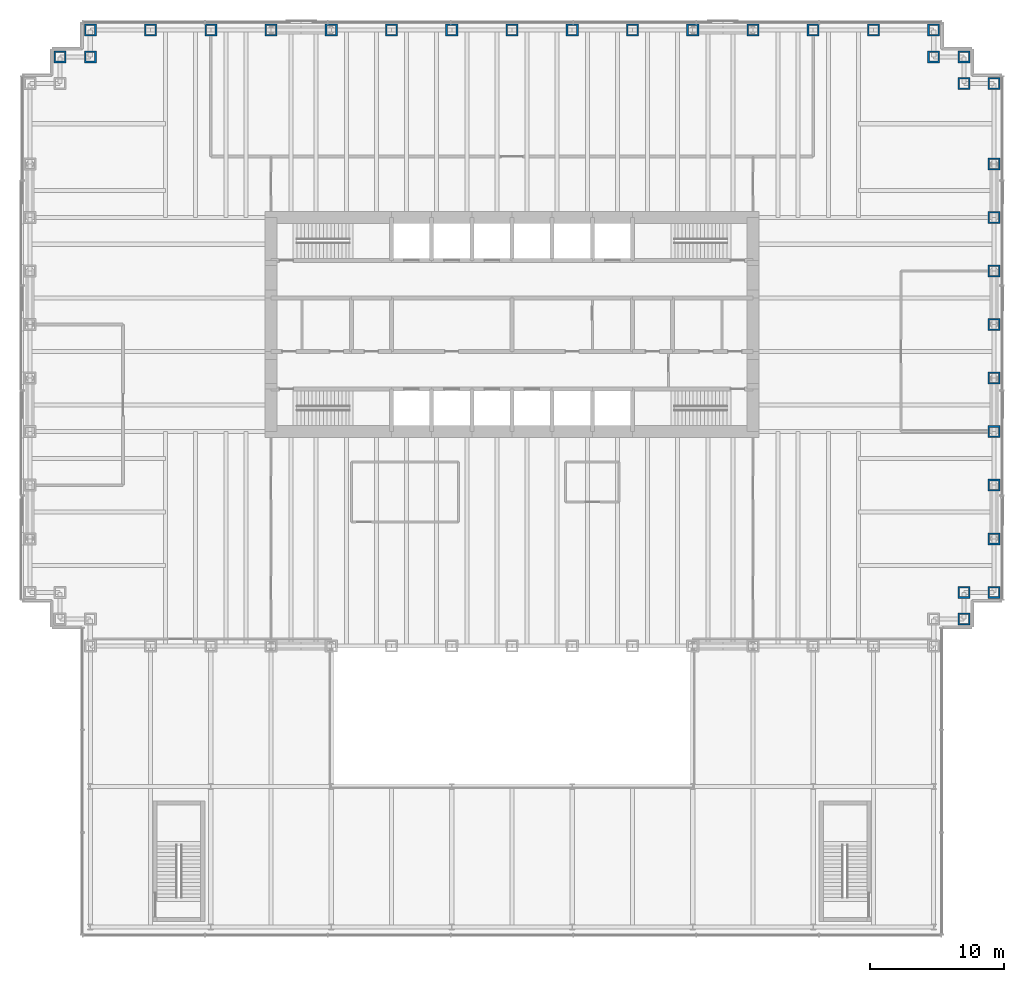
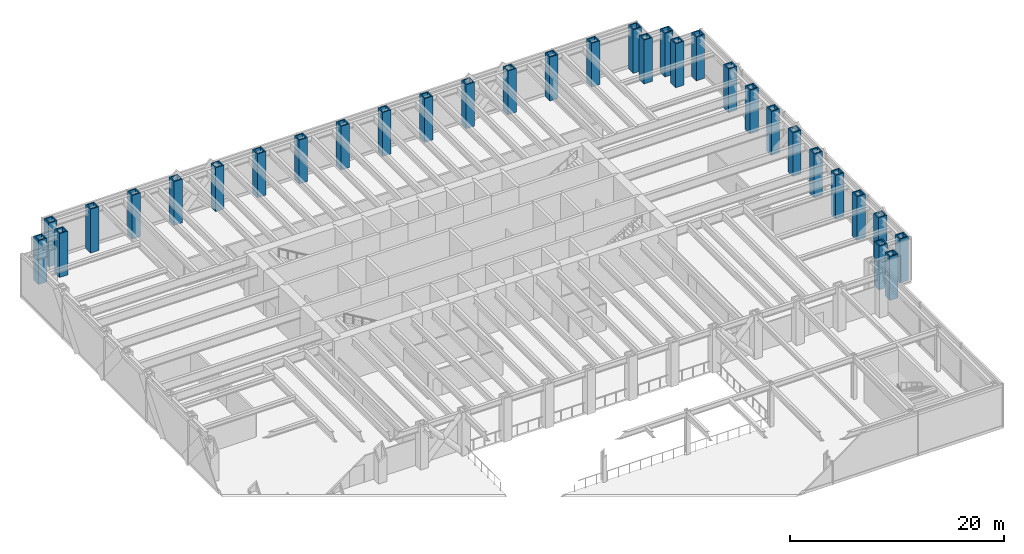
# One storey, part 2 of 17: 32 columns.
"""IFC4 building model written with IfcOpenShell, lengths in metres."""

from ifc_helpers import new_model, si_unit, direction, frame, origin, origin_2d, place, context, subcontext, project, spatial, hollow_rectangle, extrude, material, material_profile, profile_set, type_object, element, save


model = new_model("IFC4")

# Units and contexts
model_context = context("Model", 3, precision=1e-05, world=origin(), true_north=direction((0.0, 1.0)))
body_context = subcontext(model_context, "Body", "Model", "MODEL_VIEW")
ifc_project = project(units=[si_unit("LENGTHUNIT", "METRE"), si_unit("AREAUNIT", "SQUARE_METRE"), si_unit("VOLUMEUNIT", "CUBIC_METRE"), si_unit("PLANEANGLEUNIT", "RADIAN"), si_unit("MASSUNIT", "GRAM", prefix="KILO")], contexts=[model_context])

# Site, building, storey
site_placement = place(None, origin())
site = spatial("IfcSite", under=ifc_project, at=site_placement, CompositionType="ELEMENT")
building_placement = place(site_placement, origin())
building = spatial("IfcBuilding", under=site, at=building_placement, Name="Rheinbord Bourse Tower", CompositionType="ELEMENT")
storey_placement = place(building_placement, frame((0.0, 0.0, 13.0)))
storey = spatial("IfcBuildingStorey", under=building, at=storey_placement, Name="L02", CompositionType="ELEMENT", Elevation=13.0)

# Columns
ifc_material = material(Name="Steel S460M", Category="steel")
ifc_material_profile = material_profile(ifc_material, hollow_rectangle(XDim=0.89990234375, YDim=0.89990234375, WallThickness=0.1201171875, at=origin_2d()), Name="BOX 900x900x120")
ifc_profile_set = profile_set([ifc_material_profile], Name="Steel S460M")
column_type = type_object("IfcColumnType", Name="TUBE COLUMN BOX 900x900x120", PredefinedType="COLUMN", material=ifc_profile_set)
for number, where, z_axis, x_axis, name in (
    (1, (69.75, 2.0, 0.0), (0.0, 0.0, 1.0), (1.0, 0.0, 0.0), "Column SE-C L02"),
    (2, (69.75, 4.0, 0.0), (0.0, 0.0, 1.0), (1.0, 0.0, 0.0), "Column SE-B L02"),
    (3, (72.0, 4.0, 0.0), (0.0, 0.0, 1.0), (1.0, 0.0, 0.0), "Column SE-A L02"),
    (4, (72.0, 8.0, 0.0), (0.0, 0.0, 1.0), (1.0, 0.0, 0.0), "Column E-8 L02"),
    (5, (72.0, 12.0, 0.0), (0.0, 0.0, 1.0), (1.0, 0.0, 0.0), "Column E-12 L02"),
    (6, (72.0, 16.0, 0.0), (0.0, 0.0, 1.0), (1.0, 0.0, 0.0), "Column E-16 L02"),
    (7, (72.0, 20.0, 0.0), (0.0, 0.0, 1.0), (1.0, 0.0, 0.0), "Column E-20 L02"),
    (8, (72.0, 24.0, 0.0), (0.0, 0.0, 1.0), (1.0, 0.0, 0.0), "Column E-24 L02"),
    (9, (72.0, 28.0, 0.0), (0.0, 0.0, 1.0), (1.0, 0.0, 0.0), "Column E-28 L02"),
    (10, (72.0, 32.0, 0.0), (0.0, 0.0, 1.0), (1.0, 0.0, 0.0), "Column E-32 L02"),
    (11, (72.0, 36.0, 0.0), (0.0, 0.0, 1.0), (1.0, 0.0, 0.0), "Column E-36 L02"),
    (12, (72.0, 42.0, 0.0), (0.0, 0.0, 1.0), (1.0, 0.0, 0.0), "Column NE-A L02"),
    (13, (69.75, 42.0, 0.0), (0.0, 0.0, 1.0), (1.0, 0.0, 0.0), "Column NE-B L02"),
    (14, (69.75, 44.0, 0.0), (0.0, 0.0, 1.0), (1.0, 0.0, 0.0), "Column NE-C L02"),
    (15, (67.5, 44.0, 0.0), (0.0, 0.0, 1.0), (0.0, 1.0, 0.0), "Column NE-D L02"),
    (16, (67.5, 46.0, 0.0), (0.0, 0.0, 1.0), (0.0, 1.0, 0.0), "Column NE-E L02"),
    (17, (63.0, 46.0, 0.0), (0.0, 0.0, 1.0), (0.0, 1.0, 0.0), "Column N-63 L02"),
    (18, (58.5, 46.0, 0.0), (0.0, 0.0, 1.0), (0.0, 1.0, 0.0), "Column N-58.5 L02"),
    (19, (54.0, 46.0, 0.0), (0.0, 0.0, 1.0), (0.0, 1.0, 0.0), "Column N-54 L02"),
    (20, (49.5, 46.0, 0.0), (0.0, 0.0, 1.0), (0.0, 1.0, 0.0), "Column N-49.5 L02"),
    (21, (45.0, 46.0, 0.0), (0.0, 0.0, 1.0), (0.0, 1.0, 0.0), "Column N-45 L02"),
    (22, (40.5, 46.0, 0.0), (0.0, 0.0, 1.0), (0.0, 1.0, 0.0), "Column N-40.5 L02"),
    (23, (36.0, 46.0, 0.0), (0.0, 0.0, 1.0), (0.0, 1.0, 0.0), "Column N-36 L02"),
    (24, (31.5, 46.0, 0.0), (0.0, 0.0, 1.0), (0.0, 1.0, 0.0), "Column N-31.5 L02"),
    (25, (27.0, 46.0, 0.0), (0.0, 0.0, 1.0), (0.0, 1.0, 0.0), "Column N-27 L02"),
    (26, (22.5, 46.0, 0.0), (0.0, 0.0, 1.0), (0.0, 1.0, 0.0), "Column N-22.5 L02"),
    (27, (18.0, 46.0, 0.0), (0.0, 0.0, 1.0), (0.0, 1.0, 0.0), "Column N-18 L02"),
    (28, (13.5, 46.0, 0.0), (0.0, 0.0, 1.0), (0.0, 1.0, 0.0), "Column N-13.5 L02"),
    (29, (9.0, 46.0, 0.0), (0.0, 0.0, 1.0), (0.0, 1.0, 0.0), "Column N-9 L02"),
    (30, (4.5, 46.0, 0.0), (0.0, 0.0, 1.0), (0.0, 1.0, 0.0), "Column NW-E L02"),
    (31, (4.5, 44.0, 0.0), (0.0, 0.0, 1.0), (0.0, 1.0, 0.0), "Column NW-D L02"),
    (32, (2.25, 44.0, 0.0), (0.0, 0.0, 1.0), (1.0, 0.0, 0.0), "Column NW-C L02"),
):
    element("IfcColumn", number, at=place(storey_placement, frame(where, z_axis=z_axis, x_axis=x_axis)), inside=storey, type_object=column_type, Name=name, PredefinedType="COLUMN", context=body_context, shape_type="SweptSolid", body=[
        extrude(hollow_rectangle(XDim=0.89990234375, YDim=0.89990234375, WallThickness=0.1201171875, at=origin_2d()), origin(), (0.0, 0.0, 1.0), 5.0),
    ])

save(model, "model.ifc")
